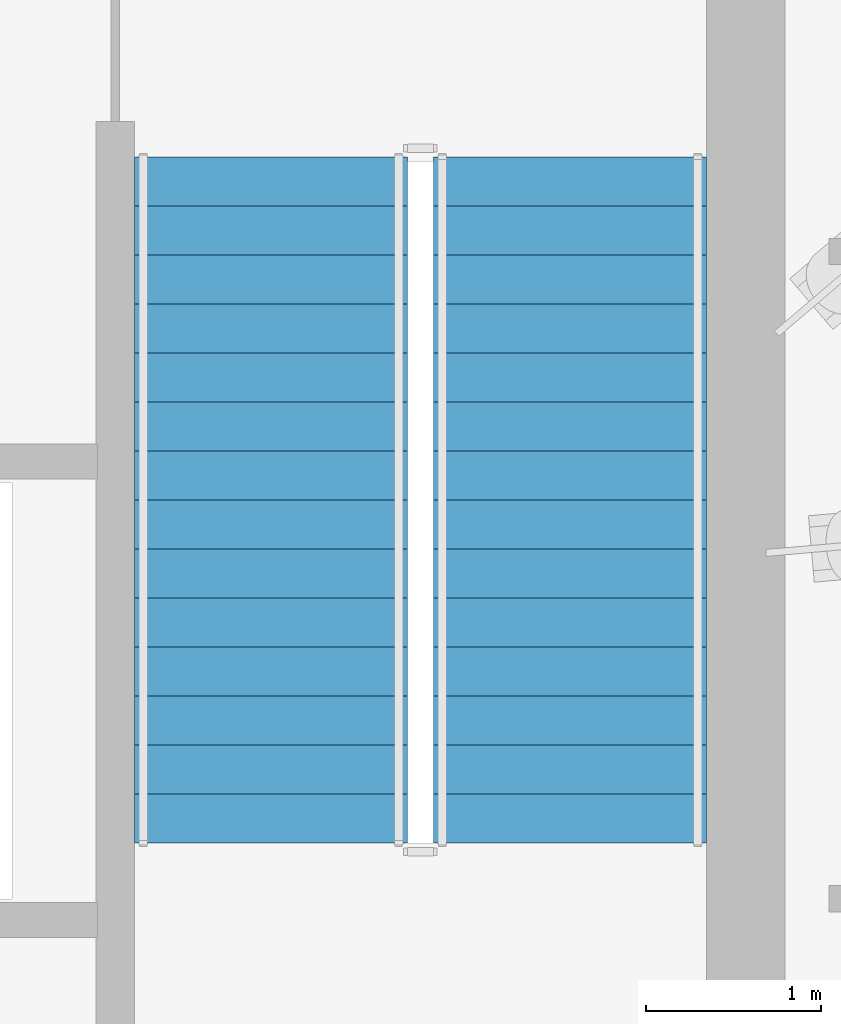
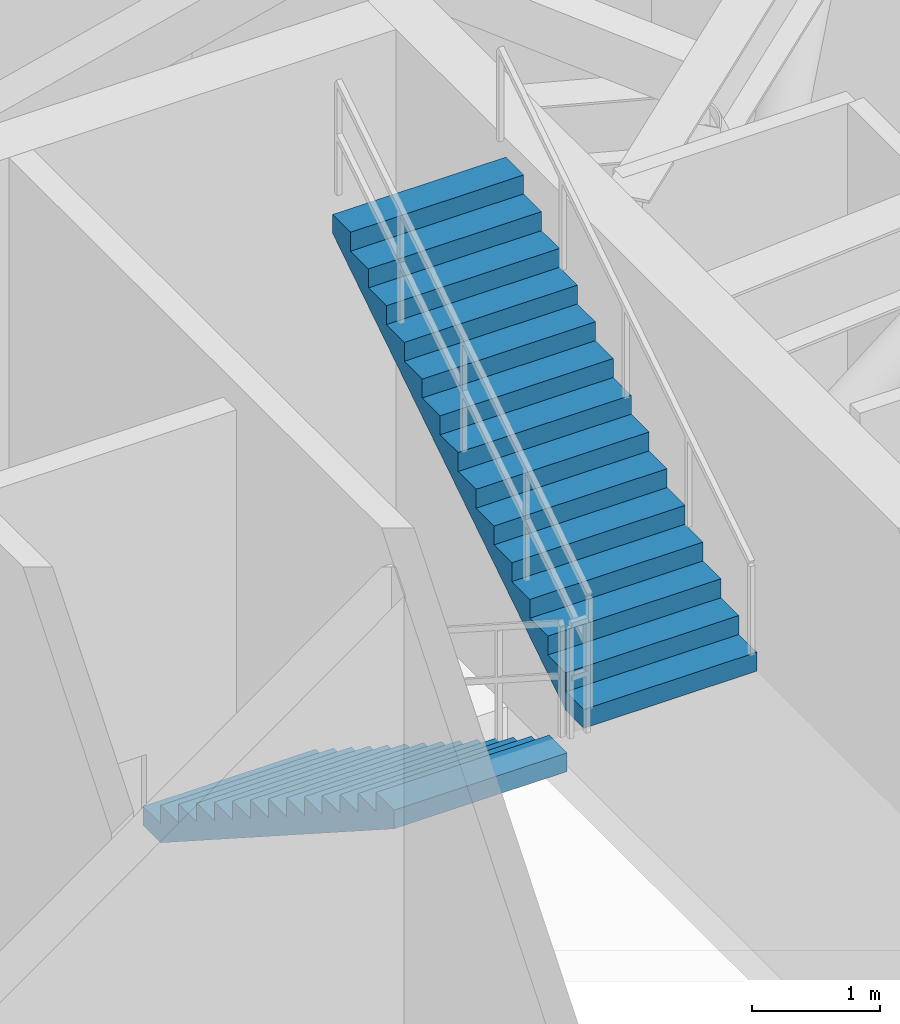
# One storey, part 9 of 10: 2 stair flights, 1 element without a shape of its own.
"""IFC4 building model written with IfcOpenShell, lengths in metres."""

from ifc_helpers import new_model, si_unit, direction, frame, origin, place, context, subcontext, project, spatial, polyline, outline, extrude, material, type_object, element, aggregate, save


model = new_model("IFC4")

# Units and contexts
model_context = context("Model", 3, precision=1e-05, world=origin(), true_north=direction((0.0, 1.0)))
body_context = subcontext(model_context, "Body", "Model", "MODEL_VIEW")
ifc_project = project(units=[si_unit("LENGTHUNIT", "METRE"), si_unit("AREAUNIT", "SQUARE_METRE"), si_unit("VOLUMEUNIT", "CUBIC_METRE"), si_unit("PLANEANGLEUNIT", "RADIAN"), si_unit("MASSUNIT", "GRAM", prefix="KILO")], contexts=[model_context])

# Site, building, storey
site_placement = place(None, origin())
site = spatial("IfcSite", under=ifc_project, at=site_placement, CompositionType="ELEMENT")
building_placement = place(site_placement, origin())
building = spatial("IfcBuilding", under=site, at=building_placement, Name="Breltana Convention Tower", CompositionType="ELEMENT")
storey_placement = place(building_placement, frame((0.0, 0.0, 254.699951171875)))
storey = spatial("IfcBuildingStorey", under=building, at=storey_placement, Name="L62", CompositionType="ELEMENT", Elevation=254.699951171875)

# Stair, stair flights
ifc_material = material(Name="Concrete C40/50", Category="concrete")
stair_type = type_object("IfcStairType", Name="ST-DOG-1560-R180", PredefinedType="HALF_TURN_STAIR", material=ifc_material)
stair_placement = place(storey_placement, origin())
stair = element("IfcStair", 1, at=stair_placement, inside=storey, type_object=stair_type, Name="L62 Protected Core Exit Stair ST-2", PredefinedType="HALF_TURN_STAIR")
stair_flight_type = type_object("IfcStairFlightType", Name="STF-DOG-1560-N15-R180", PredefinedType="STRAIGHT", material=ifc_material)
stair_flight_1_placement = place(storey_placement, frame((56.31005859375, 70.0400390625, 0.0), z_axis=(0.0, 0.0, 1.0), x_axis=(0.0, -1.0, 0.0)))
stair_flight_1 = element("IfcStairFlight", 2, at=stair_flight_1_placement, type_object=stair_flight_type, Name="ST-2 flight 1", NumberOfRisers=15, NumberOfTreads=14, PredefinedType="STRAIGHT", RiserHeight=0.18, TreadLength=0.28, context=body_context, shape_type="SweptSolid", body=[
    extrude(outline(polyline([(0.0, 0.0), (0.0, 0.179931640625), (0.280029296875, 0.179931640625), (0.280029296875, 0.360107421875), (0.56005859375, 0.360107421875), (0.56005859375, 0.5400390625), (0.840087890625, 0.5400390625), (0.840087890625, 0.719970703125), (1.1201171875, 0.719970703125), (1.1201171875, 0.89990234375), (1.39990234375, 0.89990234375), (1.39990234375, 1.080078125), (1.679931640625, 1.080078125), (1.679931640625, 1.260009765625), (1.9599609375, 1.260009765625), (1.9599609375, 1.43994140625), (2.239990234375, 1.43994140625), (2.239990234375, 1.6201171875), (2.52001953125, 1.6201171875), (2.52001953125, 1.800048828125), (2.800048828125, 1.800048828125), (2.800048828125, 1.97998046875), (3.080078125, 1.97998046875), (3.080078125, 2.159912109375), (3.360107421875, 2.159912109375), (3.360107421875, 2.340087890625), (3.639892578125, 2.340087890625), (3.639892578125, 2.52001953125), (3.919921875, 2.52001953125), (3.919921875, 2.699951171875), (3.919921875, 2.341796875), (0.277099609375, 0.0), (0.0, 0.0)])), frame((0.0, 0.780029296875, 0.0), z_axis=(0.0, -1.0, 0.0), x_axis=(1.0, 0.0, 0.0)), (0.0, 0.0, 1.0), 1.56005859375),
])
stair_flight_2_placement = place(storey_placement, frame((58.02001953125, 66.1201171875, 2.699951171875), z_axis=(0.0, 0.0, 1.0), x_axis=(0.0, 1.0, 0.0)))
stair_flight_2 = element("IfcStairFlight", 3, at=stair_flight_2_placement, type_object=stair_flight_type, Name="ST-2 flight 2", NumberOfRisers=15, NumberOfTreads=14, PredefinedType="STRAIGHT", RiserHeight=0.18, TreadLength=0.28, context=body_context, shape_type="SweptSolid", body=[
    extrude(outline(polyline([(0.0, 0.0), (0.0, 0.179931640625), (0.280029296875, 0.179931640625), (0.280029296875, 0.360107421875), (0.56005859375, 0.360107421875), (0.56005859375, 0.5400390625), (0.840087890625, 0.5400390625), (0.840087890625, 0.719970703125), (1.1201171875, 0.719970703125), (1.1201171875, 0.89990234375), (1.39990234375, 0.89990234375), (1.39990234375, 1.080078125), (1.679931640625, 1.080078125), (1.679931640625, 1.260009765625), (1.9599609375, 1.260009765625), (1.9599609375, 1.43994140625), (2.239990234375, 1.43994140625), (2.239990234375, 1.6201171875), (2.52001953125, 1.6201171875), (2.52001953125, 1.800048828125), (2.800048828125, 1.800048828125), (2.800048828125, 1.97998046875), (3.080078125, 1.97998046875), (3.080078125, 2.159912109375), (3.360107421875, 2.159912109375), (3.360107421875, 2.340087890625), (3.639892578125, 2.340087890625), (3.639892578125, 2.52001953125), (3.919921875, 2.52001953125), (3.919921875, 2.699951171875), (3.919921875, 2.341796875), (0.277099609375, 0.0), (0.0, 0.0)])), frame((0.0, 0.780029296875, 0.0), z_axis=(0.0, -1.0, 0.0), x_axis=(1.0, 0.0, 0.0)), (0.0, 0.0, 1.0), 1.56005859375),
])
aggregate(stair, [stair_flight_1, stair_flight_2])

save(model, "model.ifc")
